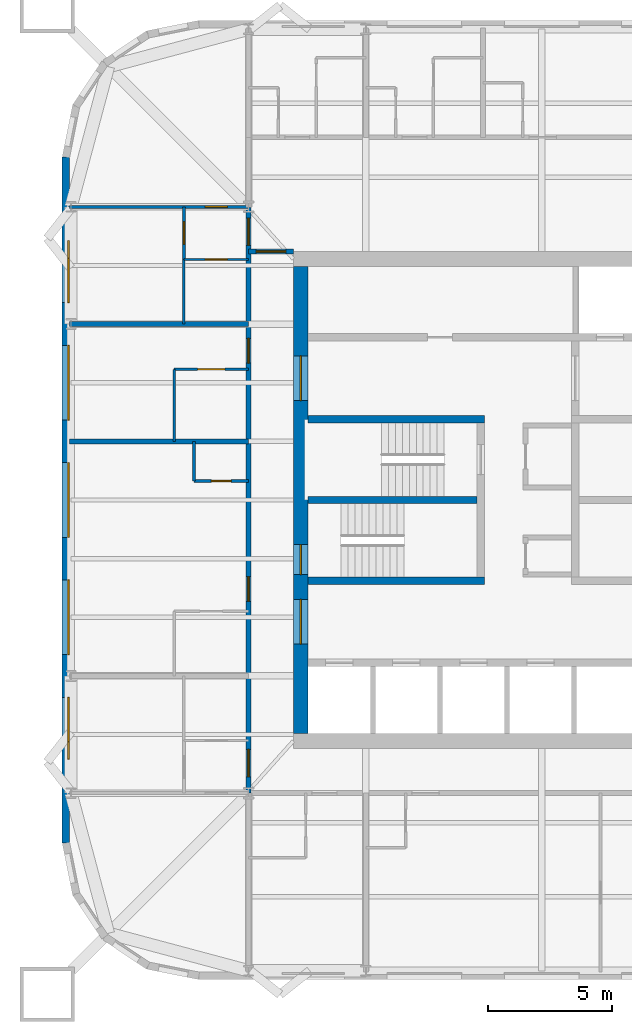
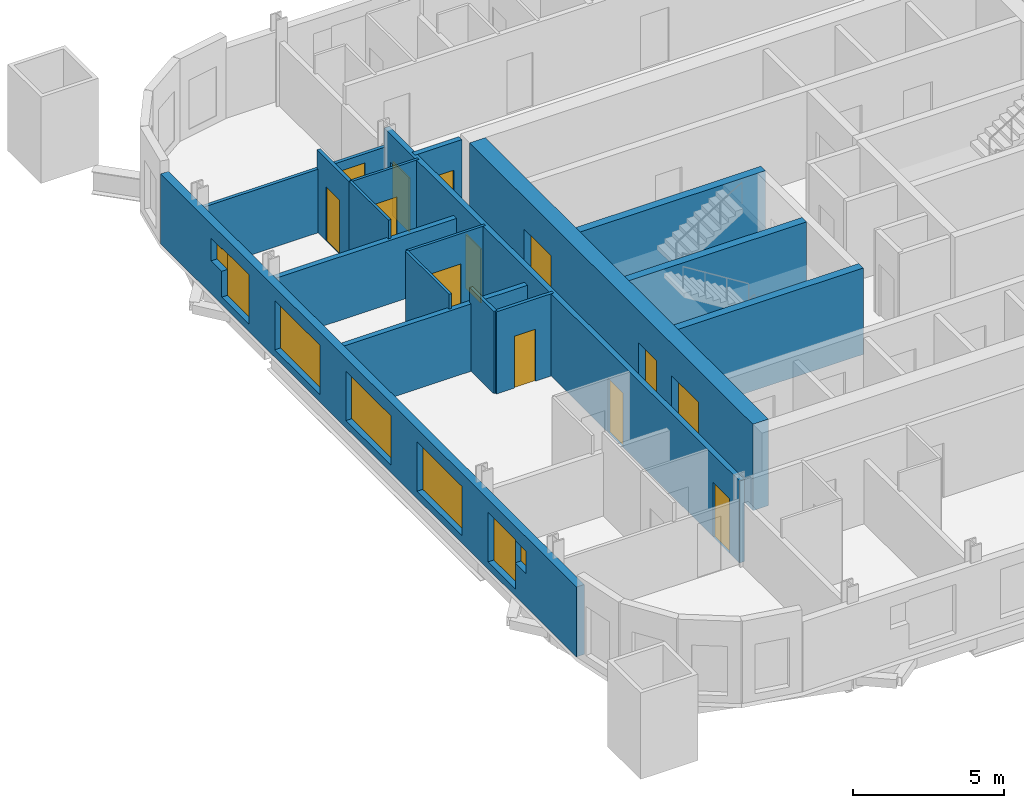
# One storey, part 4 of 9: 17 walls, 13 doors, 7 windows, 20 openings.
"""IFC4 building model written with IfcOpenShell, lengths in metres."""

from ifc_helpers import new_model, si_unit, direction, frame, frame_2d, origin, place, context, subcontext, project, spatial, rectangle, extrude, material, layer, layer_set, type_object, element, fill, save


model = new_model("IFC4")

# Units and contexts
model_context = context("Model", 3, precision=1e-05, world=origin(), true_north=direction((0.0, 1.0)))
body_context = subcontext(model_context, "Body", "Model", "MODEL_VIEW")
ifc_project = project(units=[si_unit("LENGTHUNIT", "METRE"), si_unit("AREAUNIT", "SQUARE_METRE"), si_unit("VOLUMEUNIT", "CUBIC_METRE"), si_unit("PLANEANGLEUNIT", "RADIAN"), si_unit("MASSUNIT", "GRAM", prefix="KILO")], contexts=[model_context])

# Site, building, storey
site_placement = place(None, origin())
site = spatial("IfcSite", under=ifc_project, at=site_placement, CompositionType="ELEMENT")
building_placement = place(site_placement, origin())
building = spatial("IfcBuilding", under=site, at=building_placement, Name="Turquesa Mirador Hotel Tower", CompositionType="ELEMENT")
storey_placement = place(building_placement, frame((0.0, 0.0, 207.300048828125)))
storey = spatial("IfcBuildingStorey", under=building, at=storey_placement, Name="L56", CompositionType="ELEMENT", Elevation=207.300048828125)

# Wall, opening, door
ifc_material_1 = material(Name="Gypsum board on steel studs", Category="steel")
ifc_layer_1 = layer(ifc_material_1, 0.10009765625)
ifc_layer_set_1 = layer_set([ifc_layer_1], Name="BATHROOM WALL 100")
wall_type_1 = type_object("IfcWallType", Name="BATHROOM WALL 100", PredefinedType="PARTITIONING", material=ifc_layer_set_1)
wall_1_placement = place(storey_placement, frame((40.199951171875, 50.260009765625, 0.0), z_axis=(0.0, 0.0, 1.0), x_axis=(1.0, 0.0, 0.0)))
wall_1 = element("IfcWall", 1, at=wall_1_placement, inside=storey, type_object=wall_type_1, Name="Partition L56 040", PredefinedType="PARTITIONING", context=body_context, shape_type="SweptSolid", body=[
    extrude(rectangle(XDim=3.0, YDim=0.10009765625, at=frame_2d((1.5, 0.0))), origin(), (0.0, 0.0, 1.0), 3.329833984375),
])
opening_1_placement = place(wall_1_placement, frame((0.949951171875, 0.0, 0.0)))
opening_1 = element("IfcOpeningElement", 2, at=opening_1_placement, cuts=wall_1, Name="Opening D16", PredefinedType="OPENING", context=body_context, shape_type="SweptSolid", body=[
    extrude(rectangle(XDim=1.10009765625, YDim=2.10009765625, at=frame_2d((0.550048828125, 1.050048828125))), frame((0.0, 0.06005859375, 0.0), z_axis=(0.0, -1.0, 0.0), x_axis=(1.0, 0.0, 0.0)), (0.0, 0.0, 1.0), 0.1201171875),
])
ifc_material_2 = material(Name="Timber veneered sliding door", Category="wood")
door_type_1 = type_object("IfcDoorType", Name="DOOR 1100X2100 ACCESSIBLE EN-SUITE", OperationType="SLIDING_TO_LEFT", PredefinedType="DOOR", material=ifc_material_2)
door_1_placement = place(opening_1_placement, origin())
door_1 = element("IfcDoor", 3, at=door_1_placement, inside=storey, type_object=door_type_1, Name="Door 5611B", OperationType="SLIDING_TO_LEFT", OverallHeight=2.10009765625, OverallWidth=1.10009765625, PredefinedType="DOOR", context=body_context, shape_type="SweptSolid", body=[
    extrude(rectangle(XDim=1.10009765625, YDim=2.10009765625, at=frame_2d((0.550048828125, 1.050048828125))), frame((0.0, 0.02490234375, 0.0), z_axis=(0.0, -1.0, 0.0), x_axis=(1.0, 0.0, 0.0)), (0.0, 0.0, 1.0), 0.050048828125),
])
fill(opening_1, door_1)

wall_2_placement = place(storey_placement, frame((40.60009765625, 54.679931640625, 0.0), z_axis=(0.0, 0.0, 1.0), x_axis=(1.0, 0.0, 0.0)))
wall_2 = element("IfcWall", 4, at=wall_2_placement, inside=storey, type_object=wall_type_1, Name="Partition L56 044", PredefinedType="PARTITIONING", context=body_context, shape_type="SweptSolid", body=[
    extrude(rectangle(XDim=2.599853515625, YDim=0.10009765625, at=frame_2d((1.2998046875, 0.0))), origin(), (0.0, 0.0, 1.0), 3.329833984375),
])
opening_2_placement = place(wall_2_placement, frame((0.85009765625, 0.0, 0.0)))
opening_2 = element("IfcOpeningElement", 5, at=opening_2_placement, cuts=wall_2, Name="Opening D02", PredefinedType="OPENING", context=body_context, shape_type="SweptSolid", body=[
    extrude(rectangle(XDim=0.89990234375, YDim=2.10009765625, at=frame_2d((0.449951171875, 1.050048828125))), frame((0.0, 0.06005859375, 0.0), z_axis=(0.0, -1.0, 0.0), x_axis=(1.0, 0.0, 0.0)), (0.0, 0.0, 1.0), 0.1201171875),
])
ifc_material_3 = material(Name="Timber veneered door", Category="wood")
door_type_2 = type_object("IfcDoorType", Name="DOOR 900X2100 EN-SUITE", OperationType="SINGLE_SWING_RIGHT", PredefinedType="DOOR", material=ifc_material_3)
door_2_placement = place(opening_2_placement, origin())
door_2 = element("IfcDoor", 6, at=door_2_placement, inside=storey, type_object=door_type_2, Name="Door 5613B", OperationType="SINGLE_SWING_RIGHT", OverallHeight=2.10009765625, OverallWidth=0.89990234375, PredefinedType="DOOR", context=body_context, shape_type="SweptSolid", body=[
    extrude(rectangle(XDim=0.89990234375, YDim=2.10009765625, at=frame_2d((0.449951171875, 1.050048828125))), frame((0.0, 0.02490234375, 0.0), z_axis=(0.0, -1.0, 0.0), x_axis=(1.0, 0.0, 0.0)), (0.0, 0.0, 1.0), 0.050048828125),
])
fill(opening_2, door_2)

# Walls
wall_3_placement = place(storey_placement, frame((40.60009765625, 52.080078125, 0.0), z_axis=(0.0, 0.0, 1.0), x_axis=(0.0, 1.0, 0.0)))
element("IfcWall", 7, at=wall_3_placement, inside=storey, type_object=wall_type_1, Name="Partition L56 052", PredefinedType="PARTITIONING", context=body_context, shape_type="SweptSolid", body=[
    extrude(rectangle(XDim=2.599853515625, YDim=0.10009765625, at=frame_2d((1.2998046875, 0.0))), origin(), (0.0, 0.0, 1.0), 3.329833984375),
])
wall_4_placement = place(storey_placement, frame((40.199951171875, 47.360107421875, 0.0), z_axis=(0.0, 0.0, 1.0), x_axis=(0.0, 1.0, 0.0)))
element("IfcWall", 8, at=wall_4_placement, inside=storey, type_object=wall_type_1, Name="Partition L56 056", PredefinedType="PARTITIONING", context=body_context, shape_type="SweptSolid", body=[
    extrude(rectangle(XDim=2.89990234375, YDim=0.10009765625, at=frame_2d((1.449951171875, 0.0))), origin(), (0.0, 0.0, 1.0), 3.329833984375),
])
ifc_material_4 = material(Name="Concrete C50/60", Category="concrete")
ifc_layer_2 = layer(ifc_material_4, 0.300048828125)
ifc_layer_set_2 = layer_set([ifc_layer_2], Name="CORE INNER WALL 300")
wall_type_2 = type_object("IfcWallType", Name="CORE INNER WALL 300", PredefinedType="SHEAR", material=ifc_layer_set_2)
for number, where, z_axis, x_axis, name in (
    (9, (45.60009765625, 48.25, 0.0), (0.0, 0.0, 1.0), (1.0, 0.0, 0.0), "Core wall MN-W"),
    (10, (45.60009765625, 41.75, 0.0), (0.0, 0.0, 1.0), (1.0, 0.0, 0.0), "Core wall MS-W"),
):
    element("IfcWall", number, at=place(storey_placement, frame(where, z_axis=z_axis, x_axis=x_axis)), inside=storey, type_object=wall_type_2, Name=name, PredefinedType="SHEAR", context=body_context, shape_type="SweptSolid", body=[
        extrude(rectangle(XDim=7.099853515625, YDim=0.300048828125, at=frame_2d((3.5498046875, 0.0))), origin(), (0.0, 0.0, 1.0), 3.5),
    ])
wall_5_placement = place(storey_placement, frame((45.60009765625, 45.0, 0.0), z_axis=(0.0, 0.0, 1.0), x_axis=(1.0, 0.0, 0.0)))
element("IfcWall", 11, at=wall_5_placement, inside=storey, type_object=wall_type_2, Name="Core wall M0-W", PredefinedType="SHEAR", context=body_context, shape_type="SweptSolid", body=[
    extrude(rectangle(XDim=6.7998046875, YDim=0.300048828125, at=frame_2d((3.39990234375, 0.0))), origin(), (0.0, 0.0, 1.0), 3.5),
])

# Wall, openings, doors
ifc_material_5 = material(Name="Concrete C50/60", Category="concrete")
ifc_layer_3 = layer(ifc_material_5, 0.60009765625)
ifc_layer_set_3 = layer_set([ifc_layer_3], Name="CORE WALL 600")
wall_type_3 = type_object("IfcWallType", Name="CORE WALL 600", PredefinedType="SHEAR", material=ifc_layer_set_3)
wall_6_placement = place(storey_placement, frame((45.300048828125, 35.60009765625, 0.0), z_axis=(0.0, 0.0, 1.0), x_axis=(0.0, 1.0, 0.0)))
wall_6 = element("IfcWall", 12, at=wall_6_placement, inside=storey, type_object=wall_type_3, Name="Core wall W", PredefinedType="SHEAR", context=body_context, shape_type="SweptSolid", body=[
    extrude(rectangle(XDim=18.7998046875, YDim=0.60009765625, at=frame_2d((9.39990234375, 0.0))), origin(), (0.0, 0.0, 1.0), 3.5),
])
opening_3_placement = place(wall_6_placement, frame((13.39990234375, 0.0, 0.0)))
opening_3 = element("IfcOpeningElement", 13, at=opening_3_placement, cuts=wall_6, Name="Opening D04", PredefinedType="OPENING", context=body_context, shape_type="SweptSolid", body=[
    extrude(rectangle(XDim=1.800048828125, YDim=2.199951171875, at=frame_2d((0.89990234375, 1.10009765625))), frame((0.0, 0.31005859375, 0.0), z_axis=(0.0, -1.0, 0.0), x_axis=(1.0, 0.0, 0.0)), (0.0, 0.0, 1.0), 0.6201171875),
])
opening_4_placement = place(wall_6_placement, frame((3.60009765625, 0.0, 0.0)))
opening_4 = element("IfcOpeningElement", 14, at=opening_4_placement, cuts=wall_6, Name="Opening D04", PredefinedType="OPENING", context=body_context, shape_type="SweptSolid", body=[
    extrude(rectangle(XDim=1.800048828125, YDim=2.199951171875, at=frame_2d((0.89990234375, 1.10009765625))), frame((0.0, 0.31005859375, 0.0), z_axis=(0.0, -1.0, 0.0), x_axis=(1.0, 0.0, 0.0)), (0.0, 0.0, 1.0), 0.6201171875),
])
opening_5_placement = place(wall_6_placement, frame((6.39990234375, 0.0, 0.0)))
opening_5 = element("IfcOpeningElement", 15, at=opening_5_placement, cuts=wall_6, Name="Opening D03", PredefinedType="OPENING", context=body_context, shape_type="SweptSolid", body=[
    extrude(rectangle(XDim=1.199951171875, YDim=2.199951171875, at=frame_2d((0.60009765625, 1.10009765625))), frame((0.0, 0.31005859375, 0.0), z_axis=(0.0, -1.0, 0.0), x_axis=(1.0, 0.0, 0.0)), (0.0, 0.0, 1.0), 0.6201171875),
])
ifc_material_6 = material(Name="Steel fire door", Category="steel")
door_type_3 = type_object("IfcDoorType", Name="DOOR 1200X2200 STAIR", OperationType="SINGLE_SWING_LEFT", PredefinedType="DOOR", material=ifc_material_6)
door_3_placement = place(opening_5_placement, origin())
door_3 = element("IfcDoor", 16, at=door_3_placement, inside=storey, type_object=door_type_3, Name="Stair ST2 door", OperationType="SINGLE_SWING_LEFT", OverallHeight=2.199951171875, OverallWidth=1.199951171875, PredefinedType="DOOR", context=body_context, shape_type="SweptSolid", body=[
    extrude(rectangle(XDim=1.199951171875, YDim=2.199951171875, at=frame_2d((0.60009765625, 1.10009765625))), frame((0.0, 0.02490234375, 0.0), z_axis=(0.0, -1.0, 0.0), x_axis=(1.0, 0.0, 0.0)), (0.0, 0.0, 1.0), 0.050048828125),
])
fill(opening_5, door_3)
ifc_material_7 = material(Name="Steel fire door pair", Category="steel")
door_type_4 = type_object("IfcDoorType", Name="DOOR 1800X2200 PAIR", OperationType="DOUBLE_DOOR_SINGLE_SWING", PredefinedType="DOOR", material=ifc_material_7)
door_4_placement = place(opening_3_placement, origin())
door_4 = element("IfcDoor", 17, at=door_4_placement, inside=storey, type_object=door_type_4, Name="North lift lobby door", OperationType="DOUBLE_DOOR_SINGLE_SWING", OverallHeight=2.199951171875, OverallWidth=1.800048828125, PredefinedType="DOOR", context=body_context, shape_type="SweptSolid", body=[
    extrude(rectangle(XDim=1.800048828125, YDim=2.199951171875, at=frame_2d((0.89990234375, 1.10009765625))), frame((0.0, 0.02490234375, 0.0), z_axis=(0.0, -1.0, 0.0), x_axis=(1.0, 0.0, 0.0)), (0.0, 0.0, 1.0), 0.050048828125),
])
fill(opening_3, door_4)
door_5_placement = place(opening_4_placement, origin())
door_5 = element("IfcDoor", 18, at=door_5_placement, inside=storey, type_object=door_type_4, Name="South lift lobby door", OperationType="DOUBLE_DOOR_SINGLE_SWING", OverallHeight=2.199951171875, OverallWidth=1.800048828125, PredefinedType="DOOR", context=body_context, shape_type="SweptSolid", body=[
    extrude(rectangle(XDim=1.800048828125, YDim=2.199951171875, at=frame_2d((0.89990234375, 1.10009765625))), frame((0.0, 0.02490234375, 0.0), z_axis=(0.0, -1.0, 0.0), x_axis=(1.0, 0.0, 0.0)), (0.0, 0.0, 1.0), 0.050048828125),
])
fill(opening_4, door_5)

# Wall, opening, door
ifc_material_8 = material(Name="Fire-rated gypsum board on steel studs", Category="steel")
ifc_layer_4 = layer(ifc_material_8, 0.199951171875)
ifc_layer_set_4 = layer_set([ifc_layer_4], Name="CORRIDOR WALL 200")
wall_type_4 = type_object("IfcWallType", Name="CORRIDOR WALL 200", PredefinedType="PARTITIONING", material=ifc_layer_set_4)
wall_7_placement = place(storey_placement, frame((43.199951171875, 55.0, 0.0), z_axis=(0.0, 0.0, 1.0), x_axis=(1.0, 0.0, 0.0)))
wall_7 = element("IfcWall", 19, at=wall_7_placement, inside=storey, type_object=wall_type_4, Name="Partition L56 022", PredefinedType="PARTITIONING", context=body_context, shape_type="SweptSolid", body=[
    extrude(rectangle(XDim=1.800048828125, YDim=0.199951171875, at=frame_2d((0.89990234375, 0.0))), origin(), (0.0, 0.0, 1.0), 3.329833984375),
])
opening_6_placement = place(wall_7_placement, frame((0.300048828125, 0.0, 0.0)))
opening_6 = element("IfcOpeningElement", 20, at=opening_6_placement, cuts=wall_7, Name="Opening D19", PredefinedType="OPENING", context=body_context, shape_type="SweptSolid", body=[
    extrude(rectangle(XDim=1.199951171875, YDim=2.199951171875, at=frame_2d((0.60009765625, 1.10009765625))), frame((0.0, 0.10986328125, 0.0), z_axis=(0.0, -1.0, 0.0), x_axis=(1.0, 0.0, 0.0)), (0.0, 0.0, 1.0), 0.219970703125),
])
ifc_material_9 = material(Name="Steel glazed fire door", Category="steel")
door_type_5 = type_object("IfcDoorType", Name="DOOR 1200X2200 FIRE DOOR GLAZED", OperationType="SINGLE_SWING_LEFT", PredefinedType="DOOR", material=ifc_material_9)
door_6_placement = place(opening_6_placement, origin())
door_6 = element("IfcDoor", 21, at=door_6_placement, inside=storey, type_object=door_type_5, Name="Door L56-C03", OperationType="SINGLE_SWING_LEFT", OverallHeight=2.199951171875, OverallWidth=1.199951171875, PredefinedType="DOOR", context=body_context, shape_type="SweptSolid", body=[
    extrude(rectangle(XDim=1.199951171875, YDim=2.199951171875, at=frame_2d((0.60009765625, 1.10009765625))), frame((0.0, 0.02490234375, 0.0), z_axis=(0.0, -1.0, 0.0), x_axis=(1.0, 0.0, 0.0)), (0.0, 0.0, 1.0), 0.050048828125),
])
fill(opening_6, door_6)

# Wall, openings, doors
wall_8_placement = place(storey_placement, frame((43.199951171875, 33.199951171875, 0.0), z_axis=(0.0, 0.0, 1.0), x_axis=(0.0, 1.0, 0.0)))
wall_8 = element("IfcWall", 22, at=wall_8_placement, inside=storey, type_object=wall_type_4, Name="Partition L56 047", PredefinedType="PARTITIONING", context=body_context, shape_type="SweptSolid", body=[
    extrude(rectangle(XDim=23.580078125, YDim=0.199951171875, at=frame_2d((11.7900390625, 0.0))), origin(), (0.0, 0.0, 1.0), 3.329833984375),
])
opening_7_placement = place(wall_8_placement, frame((7.719970703125, 0.0, 0.0)))
opening_7 = element("IfcOpeningElement", 23, at=opening_7_placement, cuts=wall_8, Name="Opening D01", PredefinedType="OPENING", context=body_context, shape_type="SweptSolid", body=[
    extrude(rectangle(XDim=1.0, YDim=2.199951171875, at=frame_2d((0.5, 1.10009765625))), frame((0.0, 0.10986328125, 0.0), z_axis=(0.0, -1.0, 0.0), x_axis=(1.0, 0.0, 0.0)), (0.0, 0.0, 1.0), 0.219970703125),
])
opening_8_placement = place(wall_8_placement, frame((17.31005859375, 0.0, 0.0)))
opening_8 = element("IfcOpeningElement", 24, at=opening_8_placement, cuts=wall_8, Name="Opening D01", PredefinedType="OPENING", context=body_context, shape_type="SweptSolid", body=[
    extrude(rectangle(XDim=1.0, YDim=2.199951171875, at=frame_2d((0.5, 1.10009765625))), frame((0.0, 0.10986328125, 0.0), z_axis=(0.0, -1.0, 0.0), x_axis=(1.0, 0.0, 0.0)), (0.0, 0.0, 1.0), 0.219970703125),
])
opening_9_placement = place(wall_8_placement, frame((22.050048828125, 0.0, 0.0)))
opening_9 = element("IfcOpeningElement", 25, at=opening_9_placement, cuts=wall_8, Name="Opening D15", PredefinedType="OPENING", context=body_context, shape_type="SweptSolid", body=[
    extrude(rectangle(XDim=1.10009765625, YDim=2.199951171875, at=frame_2d((0.550048828125, 1.10009765625))), frame((0.0, 0.10986328125, 0.0), z_axis=(0.0, -1.0, 0.0), x_axis=(1.0, 0.0, 0.0)), (0.0, 0.0, 1.0), 0.219970703125),
])
opening_10_placement = place(wall_8_placement, frame((0.659912109375, 0.0, 0.0)))
opening_10 = element("IfcOpeningElement", 26, at=opening_10_placement, cuts=wall_8, Name="Opening D15", PredefinedType="OPENING", context=body_context, shape_type="SweptSolid", body=[
    extrude(rectangle(XDim=1.10009765625, YDim=2.199951171875, at=frame_2d((0.550048828125, 1.10009765625))), frame((0.0, 0.10986328125, 0.0), z_axis=(0.0, -1.0, 0.0), x_axis=(1.0, 0.0, 0.0)), (0.0, 0.0, 1.0), 0.219970703125),
])
ifc_material_10 = material(Name="Timber veneered fire door", Category="wood")
door_type_6 = type_object("IfcDoorType", Name="DOOR 1000X2200 GUEST ENTRY", OperationType="SINGLE_SWING_LEFT", PredefinedType="DOOR", material=ifc_material_10)
door_7_placement = place(opening_7_placement, origin())
door_7 = element("IfcDoor", 27, at=door_7_placement, inside=storey, type_object=door_type_6, Name="Door 5610", OperationType="SINGLE_SWING_LEFT", OverallHeight=2.199951171875, OverallWidth=1.0, PredefinedType="DOOR", context=body_context, shape_type="SweptSolid", body=[
    extrude(rectangle(XDim=1.0, YDim=2.199951171875, at=frame_2d((0.5, 1.10009765625))), frame((0.0, 0.02490234375, 0.0), z_axis=(0.0, -1.0, 0.0), x_axis=(1.0, 0.0, 0.0)), (0.0, 0.0, 1.0), 0.050048828125),
])
fill(opening_7, door_7)
door_8_placement = place(opening_8_placement, origin())
door_8 = element("IfcDoor", 28, at=door_8_placement, inside=storey, type_object=door_type_6, Name="Door 5611", OperationType="SINGLE_SWING_LEFT", OverallHeight=2.199951171875, OverallWidth=1.0, PredefinedType="DOOR", context=body_context, shape_type="SweptSolid", body=[
    extrude(rectangle(XDim=1.0, YDim=2.199951171875, at=frame_2d((0.5, 1.10009765625))), frame((0.0, 0.02490234375, 0.0), z_axis=(0.0, -1.0, 0.0), x_axis=(1.0, 0.0, 0.0)), (0.0, 0.0, 1.0), 0.050048828125),
])
fill(opening_8, door_8)
ifc_material_11 = material(Name="Timber veneered fire door", Category="wood")
door_type_7 = type_object("IfcDoorType", Name="DOOR 1100X2200 SUITE ENTRY", OperationType="SINGLE_SWING_LEFT", PredefinedType="DOOR", material=ifc_material_11)
door_9_placement = place(opening_9_placement, origin())
door_9 = element("IfcDoor", 29, at=door_9_placement, inside=storey, type_object=door_type_7, Name="Door 5613H", OperationType="SINGLE_SWING_LEFT", OverallHeight=2.199951171875, OverallWidth=1.10009765625, PredefinedType="DOOR", context=body_context, shape_type="SweptSolid", body=[
    extrude(rectangle(XDim=1.10009765625, YDim=2.199951171875, at=frame_2d((0.550048828125, 1.10009765625))), frame((0.0, 0.02490234375, 0.0), z_axis=(0.0, -1.0, 0.0), x_axis=(1.0, 0.0, 0.0)), (0.0, 0.0, 1.0), 0.050048828125),
])
fill(opening_9, door_9)
door_10_placement = place(opening_10_placement, origin())
door_10 = element("IfcDoor", 30, at=door_10_placement, inside=storey, type_object=door_type_7, Name="Door 5614H", OperationType="SINGLE_SWING_LEFT", OverallHeight=2.199951171875, OverallWidth=1.10009765625, PredefinedType="DOOR", context=body_context, shape_type="SweptSolid", body=[
    extrude(rectangle(XDim=1.10009765625, YDim=2.199951171875, at=frame_2d((0.550048828125, 1.10009765625))), frame((0.0, 0.02490234375, 0.0), z_axis=(0.0, -1.0, 0.0), x_axis=(1.0, 0.0, 0.0)), (0.0, 0.0, 1.0), 0.050048828125),
])
fill(opening_10, door_10)

# Wall, openings, windows
ifc_material_12 = material(Name="Limestone cladding on concrete block", Category="masonry")
ifc_layer_5 = layer(ifc_material_12, 0.300048828125)
ifc_layer_set_5 = layer_set([ifc_layer_5], Name="FACADE WALL 300 STONE SCREEN")
wall_type_5 = type_object("IfcWallType", Name="FACADE WALL 300 STONE SCREEN", PredefinedType="SOLIDWALL", material=ifc_layer_set_5)
wall_9_placement = place(storey_placement, frame((35.85009765625, 58.800048828125, 0.0), z_axis=(0.0, 0.0, 1.0), x_axis=(0.0, -1.0, 0.0)))
wall_9 = element("IfcWall", 31, at=wall_9_placement, inside=storey, type_object=wall_type_5, Name="Facade wall L56 14", PredefinedType="SOLIDWALL", context=body_context, shape_type="SweptSolid", body=[
    extrude(rectangle(XDim=27.60009765625, YDim=0.300048828125, at=frame_2d((13.800048828125, 0.0))), origin(), (0.0, 0.0, 1.0), 2.829833984375),
])
opening_11_placement = place(wall_9_placement, frame((4.06005859375, 0.0, 0.300048828125)))
opening_11 = element("IfcOpeningElement", 32, at=opening_11_placement, cuts=wall_9, Name="Opening WN47", PredefinedType="OPENING", context=body_context, shape_type="SweptSolid", body=[
    extrude(rectangle(XDim=1.800048828125, YDim=2.0, at=frame_2d((0.89990234375, 1.0))), frame((0.0, 0.159912109375, 0.0), z_axis=(0.0, -1.0, 0.0), x_axis=(1.0, 0.0, 0.0)), (0.0, 0.0, 1.0), 0.320068359375),
])
opening_12_placement = place(wall_9_placement, frame((7.580078125, 0.0, 0.300048828125)))
opening_12 = element("IfcOpeningElement", 33, at=opening_12_placement, cuts=wall_9, Name="Opening WN1", PredefinedType="OPENING", context=body_context, shape_type="SweptSolid", body=[
    extrude(rectangle(XDim=3.0, YDim=2.0, at=frame_2d((1.5, 1.0))), frame((0.0, 0.159912109375, 0.0), z_axis=(0.0, -1.0, 0.0), x_axis=(1.0, 0.0, 0.0)), (0.0, 0.0, 1.0), 0.320068359375),
])
opening_13_placement = place(wall_9_placement, frame((12.300048828125, 0.0, 0.300048828125)))
opening_13 = element("IfcOpeningElement", 34, at=opening_13_placement, cuts=wall_9, Name="Opening WN1", PredefinedType="OPENING", context=body_context, shape_type="SweptSolid", body=[
    extrude(rectangle(XDim=3.0, YDim=2.0, at=frame_2d((1.5, 1.0))), frame((0.0, 0.159912109375, 0.0), z_axis=(0.0, -1.0, 0.0), x_axis=(1.0, 0.0, 0.0)), (0.0, 0.0, 1.0), 0.320068359375),
])
opening_14_placement = place(wall_9_placement, frame((17.02001953125, 0.0, 0.300048828125)))
opening_14 = element("IfcOpeningElement", 35, at=opening_14_placement, cuts=wall_9, Name="Opening WN1", PredefinedType="OPENING", context=body_context, shape_type="SweptSolid", body=[
    extrude(rectangle(XDim=3.0, YDim=2.0, at=frame_2d((1.5, 1.0))), frame((0.0, 0.159912109375, 0.0), z_axis=(0.0, -1.0, 0.0), x_axis=(1.0, 0.0, 0.0)), (0.0, 0.0, 1.0), 0.320068359375),
])
opening_15_placement = place(wall_9_placement, frame((21.739990234375, 0.0, 0.300048828125)))
opening_15 = element("IfcOpeningElement", 36, at=opening_15_placement, cuts=wall_9, Name="Opening WN47", PredefinedType="OPENING", context=body_context, shape_type="SweptSolid", body=[
    extrude(rectangle(XDim=1.800048828125, YDim=2.0, at=frame_2d((0.89990234375, 1.0))), frame((0.0, 0.159912109375, 0.0), z_axis=(0.0, -1.0, 0.0), x_axis=(1.0, 0.0, 0.0)), (0.0, 0.0, 1.0), 0.320068359375),
])
opening_16_placement = place(wall_9_placement, frame((3.360107421875, 0.0, 1.35009765625)))
opening_16 = element("IfcOpeningElement", 37, at=opening_16_placement, cuts=wall_9, Name="Opening WN31", PredefinedType="OPENING", context=body_context, shape_type="SweptSolid", body=[
    extrude(rectangle(XDim=0.699951171875, YDim=0.89990234375, at=frame_2d((0.35009765625, 0.449951171875))), frame((0.0, 0.159912109375, 0.0), z_axis=(0.0, -1.0, 0.0), x_axis=(1.0, 0.0, 0.0)), (0.0, 0.0, 1.0), 0.320068359375),
])
opening_17_placement = place(wall_9_placement, frame((23.5400390625, 0.0, 1.35009765625)))
opening_17 = element("IfcOpeningElement", 38, at=opening_17_placement, cuts=wall_9, Name="Opening WN31", PredefinedType="OPENING", context=body_context, shape_type="SweptSolid", body=[
    extrude(rectangle(XDim=0.699951171875, YDim=0.89990234375, at=frame_2d((0.35009765625, 0.449951171875))), frame((0.0, 0.159912109375, 0.0), z_axis=(0.0, -1.0, 0.0), x_axis=(1.0, 0.0, 0.0)), (0.0, 0.0, 1.0), 0.320068359375),
])
ifc_material_13 = material(Name="Ceramic-fritted laminated glass", Category="glass")
window_type_1 = type_object("IfcWindowType", Name="FRITTED WINDOW 1800X2000", PartitioningType="DOUBLE_PANEL_HORIZONTAL", PredefinedType="WINDOW", material=ifc_material_13)
window_1_placement = place(opening_11_placement, origin())
window_1 = element("IfcWindow", 39, at=window_1_placement, inside=storey, type_object=window_type_1, Name="Window L56", OverallHeight=2.0, OverallWidth=1.800048828125, PartitioningType="SINGLE_PANEL", PredefinedType="WINDOW", context=body_context, shape_type="SweptSolid", body=[
    extrude(rectangle(XDim=1.800048828125, YDim=2.0, at=frame_2d((0.89990234375, 1.0))), frame((0.0, 0.130126953125, 0.0), z_axis=(0.0, -1.0, 0.0), x_axis=(1.0, 0.0, 0.0)), (0.0, 0.0, 1.0), 0.06005859375),
])
fill(opening_11, window_1)
window_2_placement = place(opening_15_placement, origin())
window_2 = element("IfcWindow", 40, at=window_2_placement, inside=storey, type_object=window_type_1, Name="Window L56", OverallHeight=2.0, OverallWidth=1.800048828125, PartitioningType="SINGLE_PANEL", PredefinedType="WINDOW", context=body_context, shape_type="SweptSolid", body=[
    extrude(rectangle(XDim=1.800048828125, YDim=2.0, at=frame_2d((0.89990234375, 1.0))), frame((0.0, 0.130126953125, 0.0), z_axis=(0.0, -1.0, 0.0), x_axis=(1.0, 0.0, 0.0)), (0.0, 0.0, 1.0), 0.06005859375),
])
fill(opening_15, window_2)
ifc_material_14 = material(Name="Ceramic-fritted laminated glass", Category="glass")
window_type_2 = type_object("IfcWindowType", Name="FRITTED WINDOW 3000X2000", PartitioningType="DOUBLE_PANEL_HORIZONTAL", PredefinedType="WINDOW", material=ifc_material_14)
window_3_placement = place(opening_12_placement, origin())
window_3 = element("IfcWindow", 41, at=window_3_placement, inside=storey, type_object=window_type_2, Name="Window L56", OverallHeight=2.0, OverallWidth=3.0, PartitioningType="SINGLE_PANEL", PredefinedType="WINDOW", context=body_context, shape_type="SweptSolid", body=[
    extrude(rectangle(XDim=3.0, YDim=2.0, at=frame_2d((1.5, 1.0))), frame((0.0, 0.130126953125, 0.0), z_axis=(0.0, -1.0, 0.0), x_axis=(1.0, 0.0, 0.0)), (0.0, 0.0, 1.0), 0.06005859375),
])
fill(opening_12, window_3)
window_4_placement = place(opening_13_placement, origin())
window_4 = element("IfcWindow", 42, at=window_4_placement, inside=storey, type_object=window_type_2, Name="Window L56", OverallHeight=2.0, OverallWidth=3.0, PartitioningType="SINGLE_PANEL", PredefinedType="WINDOW", context=body_context, shape_type="SweptSolid", body=[
    extrude(rectangle(XDim=3.0, YDim=2.0, at=frame_2d((1.5, 1.0))), frame((0.0, 0.130126953125, 0.0), z_axis=(0.0, -1.0, 0.0), x_axis=(1.0, 0.0, 0.0)), (0.0, 0.0, 1.0), 0.06005859375),
])
fill(opening_13, window_4)
window_5_placement = place(opening_14_placement, origin())
window_5 = element("IfcWindow", 43, at=window_5_placement, inside=storey, type_object=window_type_2, Name="Window L56", OverallHeight=2.0, OverallWidth=3.0, PartitioningType="SINGLE_PANEL", PredefinedType="WINDOW", context=body_context, shape_type="SweptSolid", body=[
    extrude(rectangle(XDim=3.0, YDim=2.0, at=frame_2d((1.5, 1.0))), frame((0.0, 0.130126953125, 0.0), z_axis=(0.0, -1.0, 0.0), x_axis=(1.0, 0.0, 0.0)), (0.0, 0.0, 1.0), 0.06005859375),
])
fill(opening_14, window_5)
ifc_material_15 = material(Name="Ceramic-fritted laminated glass", Category="glass")
window_type_3 = type_object("IfcWindowType", Name="FRITTED WINDOW 700X900", PartitioningType="DOUBLE_PANEL_HORIZONTAL", PredefinedType="WINDOW", material=ifc_material_15)
window_6_placement = place(opening_16_placement, origin())
window_6 = element("IfcWindow", 44, at=window_6_placement, inside=storey, type_object=window_type_3, Name="Window L56", OverallHeight=0.89990234375, OverallWidth=0.699951171875, PartitioningType="SINGLE_PANEL", PredefinedType="WINDOW", context=body_context, shape_type="SweptSolid", body=[
    extrude(rectangle(XDim=0.699951171875, YDim=0.89990234375, at=frame_2d((0.35009765625, 0.449951171875))), frame((0.0, 0.130126953125, 0.0), z_axis=(0.0, -1.0, 0.0), x_axis=(1.0, 0.0, 0.0)), (0.0, 0.0, 1.0), 0.06005859375),
])
fill(opening_16, window_6)
window_7_placement = place(opening_17_placement, origin())
window_7 = element("IfcWindow", 45, at=window_7_placement, inside=storey, type_object=window_type_3, Name="Window L56", OverallHeight=0.89990234375, OverallWidth=0.699951171875, PartitioningType="SINGLE_PANEL", PredefinedType="WINDOW", context=body_context, shape_type="SweptSolid", body=[
    extrude(rectangle(XDim=0.699951171875, YDim=0.89990234375, at=frame_2d((0.35009765625, 0.449951171875))), frame((0.0, 0.130126953125, 0.0), z_axis=(0.0, -1.0, 0.0), x_axis=(1.0, 0.0, 0.0)), (0.0, 0.0, 1.0), 0.06005859375),
])
fill(opening_17, window_7)

# Walls
ifc_material_16 = material(Name="Fire-rated gypsum board on steel studs", Category="steel")
ifc_layer_6 = layer(ifc_material_16, 0.199951171875)
ifc_layer_set_6 = layer_set([ifc_layer_6], Name="PARTY WALL 200")
wall_type_6 = type_object("IfcWallType", Name="PARTY WALL 200", PredefinedType="PARTITIONING", material=ifc_layer_set_6)
wall_10_placement = place(storey_placement, frame((36.0, 47.360107421875, 0.0), z_axis=(0.0, 0.0, 1.0), x_axis=(1.0, 0.0, 0.0)))
element("IfcWall", 46, at=wall_10_placement, inside=storey, type_object=wall_type_6, Name="Partition L56 035", PredefinedType="PARTITIONING", context=body_context, shape_type="SweptSolid", body=[
    extrude(rectangle(XDim=7.199951171875, YDim=0.199951171875, at=frame_2d((3.60009765625, 0.0))), origin(), (0.0, 0.0, 1.0), 2.73046875),
])
wall_11_placement = place(storey_placement, frame((36.0, 52.080078125, 0.0), z_axis=(0.0, 0.0, 1.0), x_axis=(1.0, 0.0, 0.0)))
element("IfcWall", 47, at=wall_11_placement, inside=storey, type_object=wall_type_6, Name="Partition L56 041", PredefinedType="PARTITIONING", context=body_context, shape_type="SweptSolid", body=[
    extrude(rectangle(XDim=7.199951171875, YDim=0.199951171875, at=frame_2d((3.60009765625, 0.0))), origin(), (0.0, 0.0, 1.0), 2.572998046875),
])

# Wall, opening, door
ifc_material_17 = material(Name="Acoustic gypsum board on steel studs", Category="steel")
ifc_layer_7 = layer(ifc_material_17, 0.125)
ifc_layer_set_7 = layer_set([ifc_layer_7], Name="SUITE PARTITION 125")
wall_type_7 = type_object("IfcWallType", Name="SUITE PARTITION 125", PredefinedType="PARTITIONING", material=ifc_layer_set_7)
wall_12_placement = place(storey_placement, frame((41.0, 45.760009765625, 0.0), z_axis=(0.0, 0.0, 1.0), x_axis=(1.0, 0.0, 0.0)))
wall_12 = element("IfcWall", 48, at=wall_12_placement, inside=storey, type_object=wall_type_7, Name="Partition L56 020", PredefinedType="PARTITIONING", context=body_context, shape_type="SweptSolid", body=[
    extrude(rectangle(XDim=2.199951171875, YDim=0.125, at=frame_2d((1.10009765625, 0.0))), origin(), (0.0, 0.0, 1.0), 3.329833984375),
])
opening_18_placement = place(wall_12_placement, frame((0.699951171875, 0.0, 0.0)))
opening_18 = element("IfcOpeningElement", 49, at=opening_18_placement, cuts=wall_12, Name="Opening D20", PredefinedType="OPENING", context=body_context, shape_type="SweptSolid", body=[
    extrude(rectangle(XDim=0.800048828125, YDim=2.10009765625, at=frame_2d((0.39990234375, 1.050048828125))), frame((0.0, 0.072509765625, 0.0), z_axis=(0.0, -1.0, 0.0), x_axis=(1.0, 0.0, 0.0)), (0.0, 0.0, 1.0), 0.14501953125),
])
ifc_material_18 = material(Name="Timber veneered sliding door", Category="wood")
door_type_8 = type_object("IfcDoorType", Name="DOOR 800X2100 WARDROBE", OperationType="SLIDING_TO_LEFT", PredefinedType="DOOR", material=ifc_material_18)
door_11_placement = place(opening_18_placement, origin())
door_11 = element("IfcDoor", 50, at=door_11_placement, inside=storey, type_object=door_type_8, Name="Door 5610W", OperationType="SLIDING_TO_LEFT", OverallHeight=2.10009765625, OverallWidth=0.800048828125, PredefinedType="DOOR", context=body_context, shape_type="SweptSolid", body=[
    extrude(rectangle(XDim=0.800048828125, YDim=2.10009765625, at=frame_2d((0.39990234375, 1.050048828125))), frame((0.0, 0.02490234375, 0.0), z_axis=(0.0, -1.0, 0.0), x_axis=(1.0, 0.0, 0.0)), (0.0, 0.0, 1.0), 0.050048828125),
])
fill(opening_18, door_11)

wall_13_placement = place(storey_placement, frame((36.0, 56.800048828125, 0.0), z_axis=(0.0, 0.0, 1.0), x_axis=(1.0, 0.0, 0.0)))
wall_13 = element("IfcWall", 51, at=wall_13_placement, inside=storey, type_object=wall_type_7, Name="Partition L56 025", PredefinedType="PARTITIONING", context=body_context, shape_type="SweptSolid", body=[
    extrude(rectangle(XDim=7.199951171875, YDim=0.125, at=frame_2d((3.60009765625, 0.0))), origin(), (0.0, 0.0, 1.0), 2.572998046875),
])
opening_19_placement = place(wall_13_placement, frame((5.449951171875, 0.0, 0.0)))
opening_19 = element("IfcOpeningElement", 52, at=opening_19_placement, cuts=wall_13, Name="Opening D17", PredefinedType="OPENING", context=body_context, shape_type="SweptSolid", body=[
    extrude(rectangle(XDim=0.89990234375, YDim=2.199951171875, at=frame_2d((0.449951171875, 1.10009765625))), frame((0.0, 0.072509765625, 0.0), z_axis=(0.0, -1.0, 0.0), x_axis=(1.0, 0.0, 0.0)), (0.0, 0.0, 1.0), 0.14501953125),
])
ifc_material_19 = material(Name="Timber veneered door", Category="wood")
door_type_9 = type_object("IfcDoorType", Name="DOOR 900X2200 SUITE INTERNAL", OperationType="SINGLE_SWING_LEFT", PredefinedType="DOOR", material=ifc_material_19)
door_12_placement = place(opening_19_placement, origin())
door_12 = element("IfcDoor", 53, at=door_12_placement, inside=storey, type_object=door_type_9, Name="Door 5613", OperationType="SINGLE_SWING_LEFT", OverallHeight=2.199951171875, OverallWidth=0.89990234375, PredefinedType="DOOR", context=body_context, shape_type="SweptSolid", body=[
    extrude(rectangle(XDim=0.89990234375, YDim=2.199951171875, at=frame_2d((0.449951171875, 1.10009765625))), frame((0.0, 0.02490234375, 0.0), z_axis=(0.0, -1.0, 0.0), x_axis=(1.0, 0.0, 0.0)), (0.0, 0.0, 1.0), 0.050048828125),
])
fill(opening_19, door_12)

# Wall
wall_14_placement = place(storey_placement, frame((41.0, 45.760009765625, 0.0), z_axis=(0.0, 0.0, 1.0), x_axis=(0.0, 1.0, 0.0)))
element("IfcWall", 54, at=wall_14_placement, inside=storey, type_object=wall_type_7, Name="Partition L56 050", PredefinedType="PARTITIONING", context=body_context, shape_type="SweptSolid", body=[
    extrude(rectangle(XDim=1.60009765625, YDim=0.125, at=frame_2d((0.800048828125, 0.0))), origin(), (0.0, 0.0, 1.0), 3.329833984375),
])

# Wall, opening, door
wall_15_placement = place(storey_placement, frame((40.60009765625, 54.679931640625, 0.0), z_axis=(0.0, 0.0, 1.0), x_axis=(0.0, 1.0, 0.0)))
wall_15 = element("IfcWall", 55, at=wall_15_placement, inside=storey, type_object=wall_type_7, Name="Partition L56 054", PredefinedType="PARTITIONING", context=body_context, shape_type="SweptSolid", body=[
    extrude(rectangle(XDim=2.1201171875, YDim=0.125, at=frame_2d((1.06005859375, 0.0))), origin(), (0.0, 0.0, 1.0), 3.329833984375),
])
opening_20_placement = place(wall_15_placement, frame((0.610107421875, 0.0, 0.0)))
opening_20 = element("IfcOpeningElement", 56, at=opening_20_placement, cuts=wall_15, Name="Opening D17", PredefinedType="OPENING", context=body_context, shape_type="SweptSolid", body=[
    extrude(rectangle(XDim=0.89990234375, YDim=2.199951171875, at=frame_2d((0.449951171875, 1.10009765625))), frame((0.0, 0.072509765625, 0.0), z_axis=(0.0, -1.0, 0.0), x_axis=(1.0, 0.0, 0.0)), (0.0, 0.0, 1.0), 0.14501953125),
])
door_13_placement = place(opening_20_placement, origin())
door_13 = element("IfcDoor", 57, at=door_13_placement, inside=storey, type_object=door_type_9, Name="Door 5613R", OperationType="SINGLE_SWING_LEFT", OverallHeight=2.199951171875, OverallWidth=0.89990234375, PredefinedType="DOOR", context=body_context, shape_type="SweptSolid", body=[
    extrude(rectangle(XDim=0.89990234375, YDim=2.199951171875, at=frame_2d((0.449951171875, 1.10009765625))), frame((0.0, 0.02490234375, 0.0), z_axis=(0.0, -1.0, 0.0), x_axis=(1.0, 0.0, 0.0)), (0.0, 0.0, 1.0), 0.050048828125),
])
fill(opening_20, door_13)

save(model, "model.ifc")
